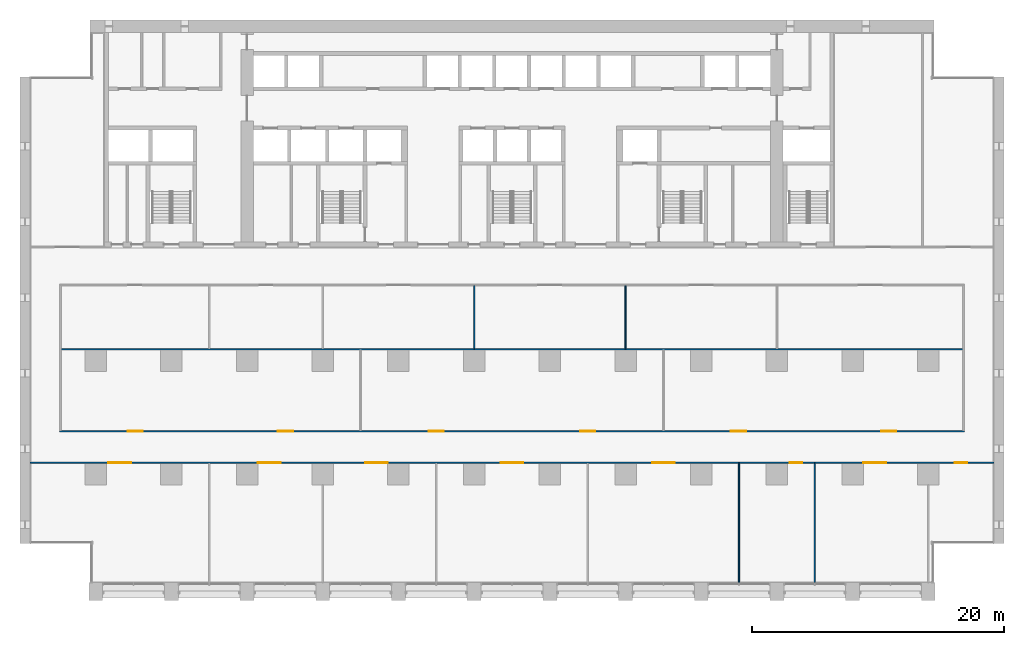
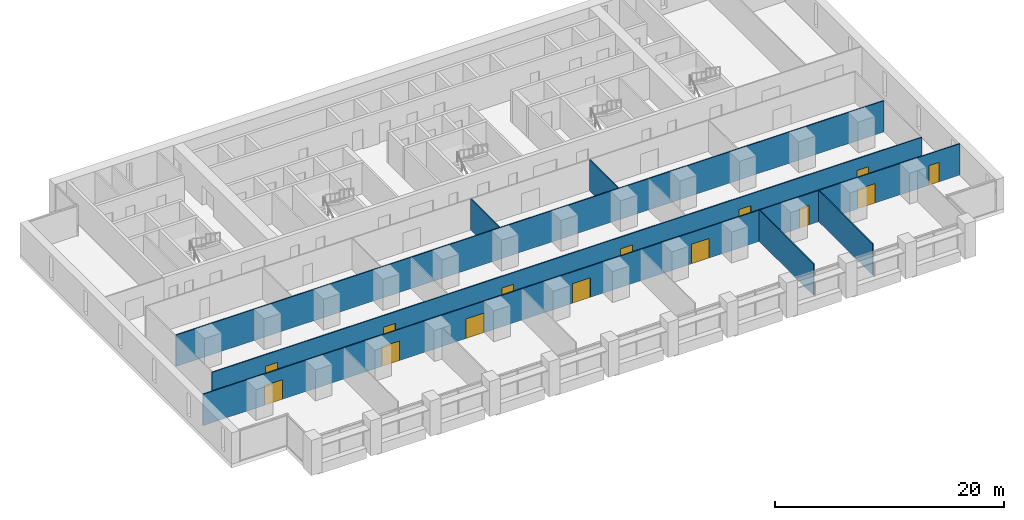
# One storey, part 9 of 18: 14 doors, 7 walls, 14 openings.
"""IFC4 building model written with IfcOpenShell, lengths in metres."""

from ifc_helpers import new_model, si_unit, direction, frame, frame_2d, origin, place, context, subcontext, project, spatial, rectangle, extrude, material, layer, layer_set, type_object, element, fill, save


model = new_model("IFC4")

# Units and contexts
model_context = context("Model", 3, precision=1e-05, world=origin(), true_north=direction((0.0, 1.0)))
body_context = subcontext(model_context, "Body", "Model", "MODEL_VIEW")
ifc_project = project(units=[si_unit("LENGTHUNIT", "METRE"), si_unit("AREAUNIT", "SQUARE_METRE"), si_unit("VOLUMEUNIT", "CUBIC_METRE"), si_unit("PLANEANGLEUNIT", "RADIAN"), si_unit("MASSUNIT", "GRAM", prefix="KILO")], contexts=[model_context])

# Site, building, storey
site_placement = place(None, origin())
site = spatial("IfcSite", under=ifc_project, at=site_placement, CompositionType="ELEMENT")
building_placement = place(site_placement, origin())
building = spatial("IfcBuilding", under=site, at=building_placement, Name="Calvaro Tower", CompositionType="ELEMENT")
storey_placement = place(building_placement, frame((0.0, 0.0, 45.0)))
storey = spatial("IfcBuildingStorey", under=building, at=storey_placement, Name="L10", CompositionType="ELEMENT", Elevation=45.0)

# Wall, openings, doors
ifc_material_1 = material(Name="Plasterboard on steel studs", Category="steel")
ifc_layer = layer(ifc_material_1, 0.10009765625)
ifc_layer_set = layer_set([ifc_layer], Name="Plasterboard on steel studs")
wall_type = type_object("IfcWallType", Name="Partition 100", PredefinedType="PARTITIONING", material=ifc_layer_set)
wall_1_placement = place(storey_placement, frame((0.800048828125, 10.89990234375, 0.0), z_axis=(0.0, 0.0, 1.0), x_axis=(1.0, 0.0, 0.0)))
wall_1 = element("IfcWall", 1, at=wall_1_placement, inside=storey, type_object=wall_type, Name="Partition T10.W001", PredefinedType="PARTITIONING", context=body_context, shape_type="SweptSolid", body=[
    extrude(rectangle(XDim=76.39990234375, YDim=0.10009765625, at=frame_2d((38.199951171875, 0.0))), origin(), (0.0, 0.0, 1.0), 3.35009765625),
])
opening_1_placement = place(wall_1_placement, frame((18.050048828125, 0.0, 0.0)))
opening_1 = element("IfcOpeningElement", 2, at=opening_1_placement, cuts=wall_1, Name="Opening T10.001", PredefinedType="OPENING", context=body_context, shape_type="SweptSolid", body=[
    extrude(rectangle(XDim=1.800048828125, YDim=2.10009765625, at=frame_2d((0.89990234375, 1.050048828125))), frame((0.0, 0.06005859375, 0.0), z_axis=(0.0, -1.0, 0.0), x_axis=(1.0, 0.0, 0.0)), (0.0, 0.0, 1.0), 0.1201171875),
])
opening_2_placement = place(wall_1_placement, frame((26.550048828125, 0.0, 0.0)))
opening_2 = element("IfcOpeningElement", 3, at=opening_2_placement, cuts=wall_1, Name="Opening T10.002", PredefinedType="OPENING", context=body_context, shape_type="SweptSolid", body=[
    extrude(rectangle(XDim=1.800048828125, YDim=2.10009765625, at=frame_2d((0.89990234375, 1.050048828125))), frame((0.0, 0.06005859375, 0.0), z_axis=(0.0, -1.0, 0.0), x_axis=(1.0, 0.0, 0.0)), (0.0, 0.0, 1.0), 0.1201171875),
])
opening_3_placement = place(wall_1_placement, frame((66.050048828125, 0.0, 0.0)))
opening_3 = element("IfcOpeningElement", 4, at=opening_3_placement, cuts=wall_1, Name="Opening T10.003", PredefinedType="OPENING", context=body_context, shape_type="SweptSolid", body=[
    extrude(rectangle(XDim=1.800048828125, YDim=2.10009765625, at=frame_2d((0.89990234375, 1.050048828125))), frame((0.0, 0.06005859375, 0.0), z_axis=(0.0, -1.0, 0.0), x_axis=(1.0, 0.0, 0.0)), (0.0, 0.0, 1.0), 0.1201171875),
])
opening_4_placement = place(wall_1_placement, frame((37.300048828125, 0.0, 0.0)))
opening_4 = element("IfcOpeningElement", 5, at=opening_4_placement, cuts=wall_1, Name="Opening T10.004", PredefinedType="OPENING", context=body_context, shape_type="SweptSolid", body=[
    extrude(rectangle(XDim=1.800048828125, YDim=2.10009765625, at=frame_2d((0.89990234375, 1.050048828125))), frame((0.0, 0.06005859375, 0.0), z_axis=(0.0, -1.0, 0.0), x_axis=(1.0, 0.0, 0.0)), (0.0, 0.0, 1.0), 0.1201171875),
])
opening_5_placement = place(wall_1_placement, frame((49.300048828125, 0.0, 0.0)))
opening_5 = element("IfcOpeningElement", 6, at=opening_5_placement, cuts=wall_1, Name="Opening T10.005", PredefinedType="OPENING", context=body_context, shape_type="SweptSolid", body=[
    extrude(rectangle(XDim=1.800048828125, YDim=2.10009765625, at=frame_2d((0.89990234375, 1.050048828125))), frame((0.0, 0.06005859375, 0.0), z_axis=(0.0, -1.0, 0.0), x_axis=(1.0, 0.0, 0.0)), (0.0, 0.0, 1.0), 0.1201171875),
])
opening_6_placement = place(wall_1_placement, frame((60.199951171875, 0.0, 0.0)))
opening_6 = element("IfcOpeningElement", 7, at=opening_6_placement, cuts=wall_1, Name="Opening T10.006", PredefinedType="OPENING", context=body_context, shape_type="SweptSolid", body=[
    extrude(rectangle(XDim=1.0, YDim=2.10009765625, at=frame_2d((0.5, 1.050048828125))), frame((0.0, 0.06005859375, 0.0), z_axis=(0.0, -1.0, 0.0), x_axis=(1.0, 0.0, 0.0)), (0.0, 0.0, 1.0), 0.1201171875),
])
opening_7_placement = place(wall_1_placement, frame((6.199951171875, 0.0, 0.0)))
opening_7 = element("IfcOpeningElement", 8, at=opening_7_placement, cuts=wall_1, Name="Opening T10.007", PredefinedType="OPENING", context=body_context, shape_type="SweptSolid", body=[
    extrude(rectangle(XDim=1.800048828125, YDim=2.10009765625, at=frame_2d((0.89990234375, 1.050048828125))), frame((0.0, 0.06005859375, 0.0), z_axis=(0.0, -1.0, 0.0), x_axis=(1.0, 0.0, 0.0)), (0.0, 0.0, 1.0), 0.1201171875),
])
opening_8_placement = place(wall_1_placement, frame((73.300048828125, 0.0, 0.0)))
opening_8 = element("IfcOpeningElement", 9, at=opening_8_placement, cuts=wall_1, Name="Opening T10.008", PredefinedType="OPENING", context=body_context, shape_type="SweptSolid", body=[
    extrude(rectangle(XDim=1.0, YDim=2.10009765625, at=frame_2d((0.5, 1.050048828125))), frame((0.0, 0.06005859375, 0.0), z_axis=(0.0, -1.0, 0.0), x_axis=(1.0, 0.0, 0.0)), (0.0, 0.0, 1.0), 0.1201171875),
])
ifc_material_2 = material(Name="Timber", Category="wood")
door_type_1 = type_object("IfcDoorType", Name="Internal double door 1800 x 2100", OperationType="DOUBLE_DOOR_SINGLE_SWING", PredefinedType="DOOR", material=ifc_material_2)
door_1_placement = place(opening_1_placement, origin())
door_1 = element("IfcDoor", 10, at=door_1_placement, inside=storey, type_object=door_type_1, Name="Door T10.001", OperationType="DOUBLE_DOOR_SINGLE_SWING", OverallHeight=2.10009765625, OverallWidth=1.800048828125, PredefinedType="DOOR", context=body_context, shape_type="SweptSolid", body=[
    extrude(rectangle(XDim=1.800048828125, YDim=2.10009765625, at=frame_2d((0.89990234375, 1.050048828125))), frame((0.0, 0.02490234375, 0.0), z_axis=(0.0, -1.0, 0.0), x_axis=(1.0, 0.0, 0.0)), (0.0, 0.0, 1.0), 0.050048828125),
])
fill(opening_1, door_1)
door_2_placement = place(opening_2_placement, origin())
door_2 = element("IfcDoor", 11, at=door_2_placement, inside=storey, type_object=door_type_1, Name="Door T10.002", OperationType="DOUBLE_DOOR_SINGLE_SWING", OverallHeight=2.10009765625, OverallWidth=1.800048828125, PredefinedType="DOOR", context=body_context, shape_type="SweptSolid", body=[
    extrude(rectangle(XDim=1.800048828125, YDim=2.10009765625, at=frame_2d((0.89990234375, 1.050048828125))), frame((0.0, 0.02490234375, 0.0), z_axis=(0.0, -1.0, 0.0), x_axis=(1.0, 0.0, 0.0)), (0.0, 0.0, 1.0), 0.050048828125),
])
fill(opening_2, door_2)
door_3_placement = place(opening_3_placement, origin())
door_3 = element("IfcDoor", 12, at=door_3_placement, inside=storey, type_object=door_type_1, Name="Door T10.003", OperationType="DOUBLE_DOOR_SINGLE_SWING", OverallHeight=2.10009765625, OverallWidth=1.800048828125, PredefinedType="DOOR", context=body_context, shape_type="SweptSolid", body=[
    extrude(rectangle(XDim=1.800048828125, YDim=2.10009765625, at=frame_2d((0.89990234375, 1.050048828125))), frame((0.0, 0.02490234375, 0.0), z_axis=(0.0, -1.0, 0.0), x_axis=(1.0, 0.0, 0.0)), (0.0, 0.0, 1.0), 0.050048828125),
])
fill(opening_3, door_3)
door_4_placement = place(opening_4_placement, origin())
door_4 = element("IfcDoor", 13, at=door_4_placement, inside=storey, type_object=door_type_1, Name="Door T10.004", OperationType="DOUBLE_DOOR_SINGLE_SWING", OverallHeight=2.10009765625, OverallWidth=1.800048828125, PredefinedType="DOOR", context=body_context, shape_type="SweptSolid", body=[
    extrude(rectangle(XDim=1.800048828125, YDim=2.10009765625, at=frame_2d((0.89990234375, 1.050048828125))), frame((0.0, 0.02490234375, 0.0), z_axis=(0.0, -1.0, 0.0), x_axis=(1.0, 0.0, 0.0)), (0.0, 0.0, 1.0), 0.050048828125),
])
fill(opening_4, door_4)
door_5_placement = place(opening_5_placement, origin())
door_5 = element("IfcDoor", 14, at=door_5_placement, inside=storey, type_object=door_type_1, Name="Door T10.005", OperationType="DOUBLE_DOOR_SINGLE_SWING", OverallHeight=2.10009765625, OverallWidth=1.800048828125, PredefinedType="DOOR", context=body_context, shape_type="SweptSolid", body=[
    extrude(rectangle(XDim=1.800048828125, YDim=2.10009765625, at=frame_2d((0.89990234375, 1.050048828125))), frame((0.0, 0.02490234375, 0.0), z_axis=(0.0, -1.0, 0.0), x_axis=(1.0, 0.0, 0.0)), (0.0, 0.0, 1.0), 0.050048828125),
])
fill(opening_5, door_5)
door_6_placement = place(opening_7_placement, origin())
door_6 = element("IfcDoor", 15, at=door_6_placement, inside=storey, type_object=door_type_1, Name="Door T10.007", OperationType="DOUBLE_DOOR_SINGLE_SWING", OverallHeight=2.10009765625, OverallWidth=1.800048828125, PredefinedType="DOOR", context=body_context, shape_type="SweptSolid", body=[
    extrude(rectangle(XDim=1.800048828125, YDim=2.10009765625, at=frame_2d((0.89990234375, 1.050048828125))), frame((0.0, 0.02490234375, 0.0), z_axis=(0.0, -1.0, 0.0), x_axis=(1.0, 0.0, 0.0)), (0.0, 0.0, 1.0), 0.050048828125),
])
fill(opening_7, door_6)
ifc_material_3 = material(Name="Timber", Category="wood")
door_type_2 = type_object("IfcDoorType", Name="Internal single door 1000 x 2100", OperationType="SINGLE_SWING_LEFT", PredefinedType="DOOR", material=ifc_material_3)
door_7_placement = place(opening_6_placement, origin())
door_7 = element("IfcDoor", 16, at=door_7_placement, inside=storey, type_object=door_type_2, Name="Door T10.006", OperationType="SINGLE_SWING_RIGHT", OverallHeight=2.10009765625, OverallWidth=1.0, PredefinedType="DOOR", context=body_context, shape_type="SweptSolid", body=[
    extrude(rectangle(XDim=1.0, YDim=2.10009765625, at=frame_2d((0.5, 1.050048828125))), frame((0.0, 0.02490234375, 0.0), z_axis=(0.0, -1.0, 0.0), x_axis=(1.0, 0.0, 0.0)), (0.0, 0.0, 1.0), 0.050048828125),
])
fill(opening_6, door_7)
door_8_placement = place(opening_8_placement, origin())
door_8 = element("IfcDoor", 17, at=door_8_placement, inside=storey, type_object=door_type_2, Name="Door T10.008", OperationType="SINGLE_SWING_RIGHT", OverallHeight=2.10009765625, OverallWidth=1.0, PredefinedType="DOOR", context=body_context, shape_type="SweptSolid", body=[
    extrude(rectangle(XDim=1.0, YDim=2.10009765625, at=frame_2d((0.5, 1.050048828125))), frame((0.0, 0.02490234375, 0.0), z_axis=(0.0, -1.0, 0.0), x_axis=(1.0, 0.0, 0.0)), (0.0, 0.0, 1.0), 0.050048828125),
])
fill(opening_8, door_8)

wall_2_placement = place(storey_placement, frame((3.14990234375, 13.39990234375, 0.0), z_axis=(0.0, 0.0, 1.0), x_axis=(1.0, 0.0, 0.0)))
wall_2 = element("IfcWall", 18, at=wall_2_placement, inside=storey, type_object=wall_type, Name="Partition T10.W002", PredefinedType="PARTITIONING", context=body_context, shape_type="SweptSolid", body=[
    extrude(rectangle(XDim=71.7001953125, YDim=0.10009765625, at=frame_2d((35.85009765625, 0.0))), origin(), (0.0, 0.0, 1.0), 3.35009765625),
])
opening_9_placement = place(wall_2_placement, frame((5.39990234375, 0.0, 0.0)))
opening_9 = element("IfcOpeningElement", 19, at=opening_9_placement, cuts=wall_2, Name="Opening T10.009", PredefinedType="OPENING", context=body_context, shape_type="SweptSolid", body=[
    extrude(rectangle(XDim=1.199951171875, YDim=2.10009765625, at=frame_2d((0.60009765625, 1.050048828125))), frame((0.0, 0.06005859375, 0.0), z_axis=(0.0, -1.0, 0.0), x_axis=(1.0, 0.0, 0.0)), (0.0, 0.0, 1.0), 0.1201171875),
])
opening_10_placement = place(wall_2_placement, frame((17.300048828125, 0.0, 0.0)))
opening_10 = element("IfcOpeningElement", 20, at=opening_10_placement, cuts=wall_2, Name="Opening T10.010", PredefinedType="OPENING", context=body_context, shape_type="SweptSolid", body=[
    extrude(rectangle(XDim=1.199951171875, YDim=2.10009765625, at=frame_2d((0.60009765625, 1.050048828125))), frame((0.0, 0.06005859375, 0.0), z_axis=(0.0, -1.0, 0.0), x_axis=(1.0, 0.0, 0.0)), (0.0, 0.0, 1.0), 0.1201171875),
])
opening_11_placement = place(wall_2_placement, frame((53.199951171875, 0.0, 0.0)))
opening_11 = element("IfcOpeningElement", 21, at=opening_11_placement, cuts=wall_2, Name="Opening T10.011", PredefinedType="OPENING", context=body_context, shape_type="SweptSolid", body=[
    extrude(rectangle(XDim=1.199951171875, YDim=2.10009765625, at=frame_2d((0.60009765625, 1.050048828125))), frame((0.0, 0.06005859375, 0.0), z_axis=(0.0, -1.0, 0.0), x_axis=(1.0, 0.0, 0.0)), (0.0, 0.0, 1.0), 0.1201171875),
])
opening_12_placement = place(wall_2_placement, frame((65.10009765625, 0.0, 0.0)))
opening_12 = element("IfcOpeningElement", 22, at=opening_12_placement, cuts=wall_2, Name="Opening T10.012", PredefinedType="OPENING", context=body_context, shape_type="SweptSolid", body=[
    extrude(rectangle(XDim=1.199951171875, YDim=2.10009765625, at=frame_2d((0.60009765625, 1.050048828125))), frame((0.0, 0.06005859375, 0.0), z_axis=(0.0, -1.0, 0.0), x_axis=(1.0, 0.0, 0.0)), (0.0, 0.0, 1.0), 0.1201171875),
])
opening_13_placement = place(wall_2_placement, frame((29.25, 0.0, 0.0)))
opening_13 = element("IfcOpeningElement", 23, at=opening_13_placement, cuts=wall_2, Name="Opening T10.013", PredefinedType="OPENING", context=body_context, shape_type="SweptSolid", body=[
    extrude(rectangle(XDim=1.199951171875, YDim=2.10009765625, at=frame_2d((0.60009765625, 1.050048828125))), frame((0.0, 0.06005859375, 0.0), z_axis=(0.0, -1.0, 0.0), x_axis=(1.0, 0.0, 0.0)), (0.0, 0.0, 1.0), 0.1201171875),
])
opening_14_placement = place(wall_2_placement, frame((41.25, 0.0, 0.0)))
opening_14 = element("IfcOpeningElement", 24, at=opening_14_placement, cuts=wall_2, Name="Opening T10.014", PredefinedType="OPENING", context=body_context, shape_type="SweptSolid", body=[
    extrude(rectangle(XDim=1.199951171875, YDim=2.10009765625, at=frame_2d((0.60009765625, 1.050048828125))), frame((0.0, 0.06005859375, 0.0), z_axis=(0.0, -1.0, 0.0), x_axis=(1.0, 0.0, 0.0)), (0.0, 0.0, 1.0), 0.1201171875),
])
ifc_material_4 = material(Name="Timber", Category="wood")
door_type_3 = type_object("IfcDoorType", Name="Internal single door 1200 x 2100", OperationType="SINGLE_SWING_LEFT", PredefinedType="DOOR", material=ifc_material_4)
door_9_placement = place(opening_9_placement, origin())
door_9 = element("IfcDoor", 25, at=door_9_placement, inside=storey, type_object=door_type_3, Name="Door T10.009", OperationType="SINGLE_SWING_LEFT", OverallHeight=2.10009765625, OverallWidth=1.199951171875, PredefinedType="DOOR", context=body_context, shape_type="SweptSolid", body=[
    extrude(rectangle(XDim=1.199951171875, YDim=2.10009765625, at=frame_2d((0.60009765625, 1.050048828125))), frame((0.0, 0.02490234375, 0.0), z_axis=(0.0, -1.0, 0.0), x_axis=(1.0, 0.0, 0.0)), (0.0, 0.0, 1.0), 0.050048828125),
])
fill(opening_9, door_9)
door_10_placement = place(opening_10_placement, origin())
door_10 = element("IfcDoor", 26, at=door_10_placement, inside=storey, type_object=door_type_3, Name="Door T10.010", OperationType="SINGLE_SWING_LEFT", OverallHeight=2.10009765625, OverallWidth=1.199951171875, PredefinedType="DOOR", context=body_context, shape_type="SweptSolid", body=[
    extrude(rectangle(XDim=1.199951171875, YDim=2.10009765625, at=frame_2d((0.60009765625, 1.050048828125))), frame((0.0, 0.02490234375, 0.0), z_axis=(0.0, -1.0, 0.0), x_axis=(1.0, 0.0, 0.0)), (0.0, 0.0, 1.0), 0.050048828125),
])
fill(opening_10, door_10)
door_11_placement = place(opening_11_placement, origin())
door_11 = element("IfcDoor", 27, at=door_11_placement, inside=storey, type_object=door_type_3, Name="Door T10.011", OperationType="SINGLE_SWING_RIGHT", OverallHeight=2.10009765625, OverallWidth=1.199951171875, PredefinedType="DOOR", context=body_context, shape_type="SweptSolid", body=[
    extrude(rectangle(XDim=1.199951171875, YDim=2.10009765625, at=frame_2d((0.60009765625, 1.050048828125))), frame((0.0, 0.02490234375, 0.0), z_axis=(0.0, -1.0, 0.0), x_axis=(1.0, 0.0, 0.0)), (0.0, 0.0, 1.0), 0.050048828125),
])
fill(opening_11, door_11)
door_12_placement = place(opening_12_placement, origin())
door_12 = element("IfcDoor", 28, at=door_12_placement, inside=storey, type_object=door_type_3, Name="Door T10.012", OperationType="SINGLE_SWING_RIGHT", OverallHeight=2.10009765625, OverallWidth=1.199951171875, PredefinedType="DOOR", context=body_context, shape_type="SweptSolid", body=[
    extrude(rectangle(XDim=1.199951171875, YDim=2.10009765625, at=frame_2d((0.60009765625, 1.050048828125))), frame((0.0, 0.02490234375, 0.0), z_axis=(0.0, -1.0, 0.0), x_axis=(1.0, 0.0, 0.0)), (0.0, 0.0, 1.0), 0.050048828125),
])
fill(opening_12, door_12)
door_13_placement = place(opening_13_placement, origin())
door_13 = element("IfcDoor", 29, at=door_13_placement, inside=storey, type_object=door_type_3, Name="Door T10.013", OperationType="SINGLE_SWING_LEFT", OverallHeight=2.10009765625, OverallWidth=1.199951171875, PredefinedType="DOOR", context=body_context, shape_type="SweptSolid", body=[
    extrude(rectangle(XDim=1.199951171875, YDim=2.10009765625, at=frame_2d((0.60009765625, 1.050048828125))), frame((0.0, 0.02490234375, 0.0), z_axis=(0.0, -1.0, 0.0), x_axis=(1.0, 0.0, 0.0)), (0.0, 0.0, 1.0), 0.050048828125),
])
fill(opening_13, door_13)
door_14_placement = place(opening_14_placement, origin())
door_14 = element("IfcDoor", 30, at=door_14_placement, inside=storey, type_object=door_type_3, Name="Door T10.014", OperationType="SINGLE_SWING_RIGHT", OverallHeight=2.10009765625, OverallWidth=1.199951171875, PredefinedType="DOOR", context=body_context, shape_type="SweptSolid", body=[
    extrude(rectangle(XDim=1.199951171875, YDim=2.10009765625, at=frame_2d((0.60009765625, 1.050048828125))), frame((0.0, 0.02490234375, 0.0), z_axis=(0.0, -1.0, 0.0), x_axis=(1.0, 0.0, 0.0)), (0.0, 0.0, 1.0), 0.050048828125),
])
fill(opening_14, door_14)

# Walls
wall_3_placement = place(storey_placement, frame((3.25, 19.89990234375, 0.0), z_axis=(0.0, 0.0, 1.0), x_axis=(1.0, 0.0, 0.0)))
element("IfcWall", 31, at=wall_3_placement, inside=storey, type_object=wall_type, Name="Partition T10.W003", PredefinedType="PARTITIONING", context=body_context, shape_type="SweptSolid", body=[
    extrude(rectangle(XDim=71.5, YDim=0.10009765625, at=frame_2d((35.75, 0.0))), origin(), (0.0, 0.0, 1.0), 3.35009765625),
])
for number, where, z_axis, x_axis, name in (
    (32, (36.0, 19.949951171875, 0.0), (0.0, 0.0, 1.0), (0.0, 1.0, 0.0), "Partition T10.W014"),
    (33, (48.0, 19.949951171875, 0.0), (0.0, 0.0, 1.0), (0.0, 1.0, 0.0), "Partition T10.W016"),
):
    element("IfcWall", number, at=place(storey_placement, frame(where, z_axis=z_axis, x_axis=x_axis)), inside=storey, type_object=wall_type, Name=name, PredefinedType="PARTITIONING", context=body_context, shape_type="SweptSolid", body=[
        extrude(rectangle(XDim=5.0, YDim=0.10009765625, at=frame_2d((2.5, 0.0))), origin(), (0.0, 0.0, 1.0), 3.35009765625),
    ])
for number, where, z_axis, x_axis, name in (
    (34, (57.0, 1.39990234375, 0.0), (0.0, 0.0, 1.0), (0.0, 1.0, 0.0), "Partition T10.W018"),
    (35, (63.0, 1.39990234375, 0.0), (0.0, 0.0, 1.0), (0.0, 1.0, 0.0), "Partition T10.W020"),
):
    element("IfcWall", number, at=place(storey_placement, frame(where, z_axis=z_axis, x_axis=x_axis)), inside=storey, type_object=wall_type, Name=name, PredefinedType="PARTITIONING", context=body_context, shape_type="SweptSolid", body=[
        extrude(rectangle(XDim=9.4501953125, YDim=0.10009765625, at=frame_2d((4.72509765625, 0.0))), origin(), (0.0, 0.0, 1.0), 3.35009765625),
    ])

save(model, "model.ifc")
